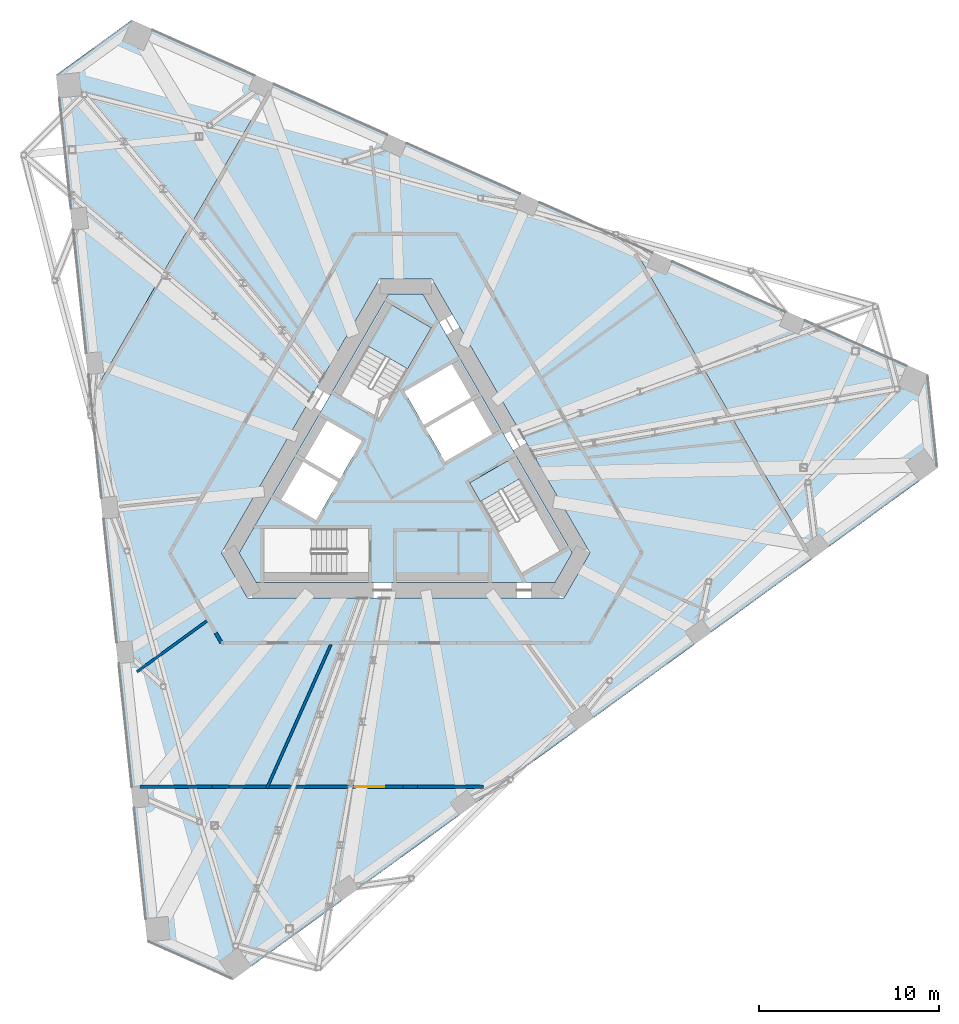
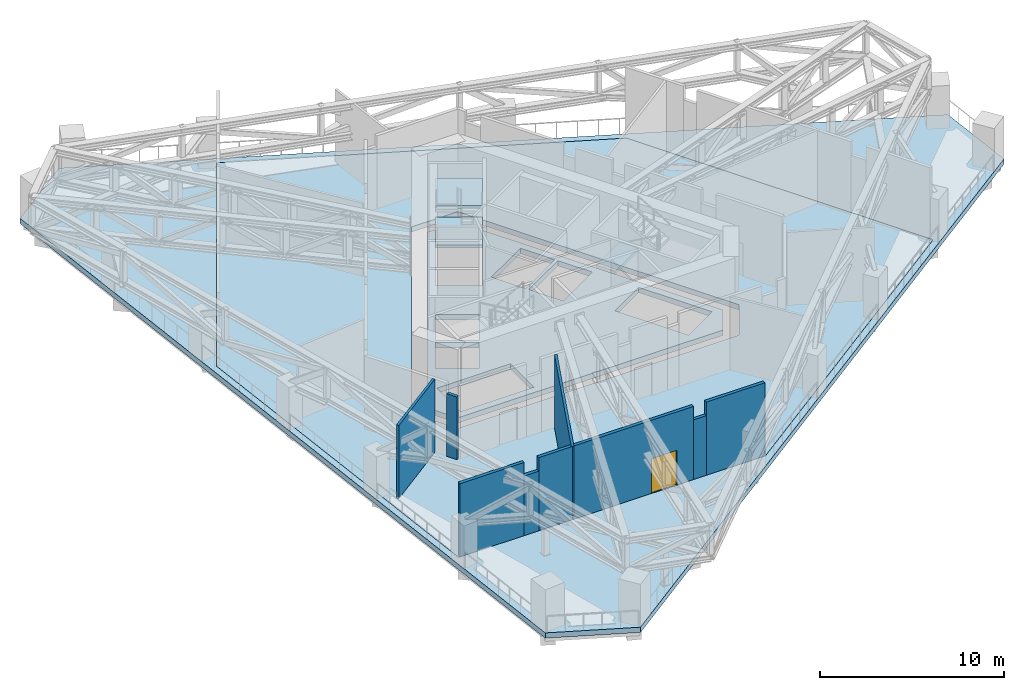
# One storey, part 16 of 26: 8 walls, 6 slabs, 1 door, 1 opening, 2 elements without a shape of their own.
"""IFC4 building model written with IfcOpenShell, lengths in metres."""

from ifc_helpers import new_model, si_unit, direction, frame, frame_2d, origin, place, context, subcontext, project, spatial, polyline, rectangle, outline, extrude, material, layer, layer_set, type_object, element, fill, aggregate, save


model = new_model("IFC4")

# Units and contexts
model_context = context("Model", 3, precision=1e-05, world=origin(), true_north=direction((0.0, 1.0)))
body_context = subcontext(model_context, "Body", "Model", "MODEL_VIEW")
ifc_project = project(units=[si_unit("LENGTHUNIT", "METRE"), si_unit("AREAUNIT", "SQUARE_METRE"), si_unit("VOLUMEUNIT", "CUBIC_METRE"), si_unit("PLANEANGLEUNIT", "RADIAN"), si_unit("MASSUNIT", "GRAM", prefix="KILO")], contexts=[model_context])

# Site, building, storey
site_placement = place(None, origin())
site = spatial("IfcSite", under=ifc_project, at=site_placement, CompositionType="ELEMENT")
building_placement = place(site_placement, origin())
building = spatial("IfcBuilding", under=site, at=building_placement, Name="Tramontana Tower", CompositionType="ELEMENT")
storey_placement = place(building_placement, frame((0.0, 0.0, 194.800048828125)))
storey = spatial("IfcBuildingStorey", under=building, at=storey_placement, Name="L45", CompositionType="ELEMENT", Elevation=194.800048828125)

# Slabs
ifc_material_1 = material(Name="Concrete 40 MPa", Category="concrete")
ifc_layer_1 = layer(ifc_material_1, 0.35009765625)
ifc_layer_set_1 = layer_set([ifc_layer_1], Name="PT FLAT SLAB 350 40 MPa")
slab_type_1 = type_object("IfcSlabType", Name="PT FLAT SLAB 350 40 MPa", PredefinedType="FLOOR", material=ifc_layer_set_1)
slab_1_placement = place(storey_placement, frame((0.0, 0.0, -0.35009765625)))
element("IfcSlab", 1, at=slab_1_placement, inside=storey, type_object=slab_type_1, Name="Floor slab L45", PredefinedType="FLOOR", context=body_context, shape_type="SweptSolid", body=[
    extrude(outline(polyline([(-14.77783203125, -17.35009765625), (-14.78759765625, -17.349609375), (-14.79736328125, -17.34814453125), (-14.806884765625, -17.345703125), (-14.816162109375, -17.34228515625), (-14.824951171875, -17.338134765625), (-14.83349609375, -17.3330078125), (-14.84130859375, -17.327392578125), (-14.848388671875, -17.32080078125), (-14.85498046875, -17.3134765625), (-14.861083984375, -17.3056640625), (-14.865966796875, -17.297119140625), (-14.8701171875, -17.288330078125), (-14.87353515625, -17.279052734375), (-14.8759765625, -17.26953125), (-14.87744140625, -17.259765625), (-17.203125, 4.869384765625), (-17.203369140625, 4.87939453125), (-17.202392578125, 4.88916015625), (-17.20068359375, 4.898681640625), (-17.197998046875, 4.908203125), (-17.194580078125, 4.917236328125), (-17.18994140625, 4.926025390625), (-15.937255859375, 7.095703125), (-10.109619140625, 17.189697265625), (-7.63671875, 21.472900390625), (-7.63134765625, 21.481201171875), (-7.625244140625, 21.489013671875), (-7.618408203125, 21.49609375), (-7.61083984375, 21.502197265625), (-7.602783203125, 21.5078125), (-7.59423828125, 21.5126953125), (-7.585205078125, 21.5166015625), (-7.575927734375, 21.51953125), (-7.56640625, 21.521484375), (-7.556640625, 21.522705078125), (-7.546630859375, 21.52294921875), (-7.537109375, 21.522216796875), (-7.52734375, 21.5205078125), (-7.517822265625, 21.517578125), (-7.5087890625, 21.51416015625), (12.818603515625, 12.463623046875), (12.827392578125, 12.458740234375), (12.83544921875, 12.453369140625), (12.843017578125, 12.447021484375), (12.849609375, 12.43994140625), (12.855712890625, 12.43212890625), (12.861083984375, 12.423828125), (14.11376953125, 10.25439453125), (18.846923828125, 2.056396484375), (22.41455078125, -4.123046875), (22.4189453125, -4.131591796875), (22.422607421875, -4.140869140625), (22.42529296875, -4.150390625), (22.427001953125, -4.159912109375), (22.427734375, -4.169677734375), (22.427490234375, -4.179443359375), (22.426513671875, -4.189208984375), (22.424560546875, -4.198974609375), (22.42138671875, -4.208251953125), (22.41748046875, -4.21728515625), (22.412841796875, -4.225830078125), (22.4072265625, -4.23388671875), (22.40087890625, -4.2412109375), (22.393798828125, -4.248291015625), (22.385986328125, -4.25439453125), (4.384521484375, -17.3330078125), (4.3759765625, -17.338134765625), (4.3671875, -17.34228515625), (4.35791015625, -17.345703125), (4.348388671875, -17.34814453125), (4.338623046875, -17.349609375), (4.328857421875, -17.35009765625), (-0.1484375, -17.35009765625), (-14.77783203125, -17.35009765625)]), holes=[polyline([(-8.8046875, -6.75), (8.8046875, -6.75), (10.248046875, -4.25), (1.443359375, 11.0), (-1.443359375, 11.0), (-10.248046875, -4.25), (-8.8046875, -6.75)])]), origin(), (0.0, 0.0, 1.0), 0.35009765625),
])
slab_2_placement = place(storey_placement, frame((0.0, 0.0, -0.35009765625)))
element("IfcSlab", 2, at=slab_2_placement, inside=storey, type_object=slab_type_1, Name="Terrace slab L45", PredefinedType="FLOOR", context=body_context, shape_type="SweptSolid", body=[
    extrude(outline(polyline([(-9.625244140625, -28.00634765625), (-14.372314453125, -25.892822265625), (-19.441650390625, 22.3388671875), (-15.23779296875, 25.39306640625), (29.06689453125, 5.66748046875), (29.610107421875, 0.499755859375), (-9.625244140625, -28.00634765625)]), holes=[polyline([(4.328857421875, -17.35009765625), (4.338623046875, -17.349609375), (4.348388671875, -17.34814453125), (4.35791015625, -17.345703125), (4.3671875, -17.34228515625), (4.3759765625, -17.338134765625), (4.384521484375, -17.3330078125), (22.385986328125, -4.25439453125), (22.393798828125, -4.248291015625), (22.40087890625, -4.2412109375), (22.4072265625, -4.23388671875), (22.412841796875, -4.225830078125), (22.41748046875, -4.21728515625), (22.42138671875, -4.208251953125), (22.424560546875, -4.198974609375), (22.426513671875, -4.189208984375), (22.427490234375, -4.179443359375), (22.427734375, -4.169677734375), (22.427001953125, -4.159912109375), (22.42529296875, -4.150390625), (22.422607421875, -4.140869140625), (22.4189453125, -4.131591796875), (22.41455078125, -4.123046875), (18.846923828125, 2.056396484375), (14.11376953125, 10.25439453125), (12.861083984375, 12.423828125), (12.855712890625, 12.43212890625), (12.849609375, 12.43994140625), (12.843017578125, 12.447021484375), (12.83544921875, 12.453369140625), (12.827392578125, 12.458740234375), (12.818603515625, 12.463623046875), (-7.5087890625, 21.51416015625), (-7.517822265625, 21.517578125), (-7.52734375, 21.5205078125), (-7.537109375, 21.522216796875), (-7.546630859375, 21.52294921875), (-7.556640625, 21.522705078125), (-7.56640625, 21.521484375), (-7.575927734375, 21.51953125), (-7.585205078125, 21.5166015625), (-7.59423828125, 21.5126953125), (-7.602783203125, 21.5078125), (-7.61083984375, 21.502197265625), (-7.618408203125, 21.49609375), (-7.625244140625, 21.489013671875), (-7.63134765625, 21.481201171875), (-7.63671875, 21.472900390625), (-10.109619140625, 17.189697265625), (-15.937255859375, 7.095703125), (-17.18994140625, 4.926025390625), (-17.194580078125, 4.917236328125), (-17.197998046875, 4.908203125), (-17.20068359375, 4.898681640625), (-17.202392578125, 4.88916015625), (-17.203369140625, 4.87939453125), (-17.203125, 4.869384765625), (-14.87744140625, -17.259765625), (-14.8759765625, -17.26953125), (-14.87353515625, -17.279052734375), (-14.8701171875, -17.288330078125), (-14.865966796875, -17.297119140625), (-14.861083984375, -17.3056640625), (-14.85498046875, -17.3134765625), (-14.848388671875, -17.32080078125), (-14.84130859375, -17.327392578125), (-14.83349609375, -17.3330078125), (-14.824951171875, -17.338134765625), (-14.816162109375, -17.34228515625), (-14.806884765625, -17.345703125), (-14.79736328125, -17.34814453125), (-14.78759765625, -17.349609375), (-14.77783203125, -17.35009765625), (-0.1484375, -17.35009765625), (4.328857421875, -17.35009765625)])]), origin(), (0.0, 0.0, 1.0), 0.35009765625),
])
slab_3_placement = place(storey_placement, frame((0.0, 0.0, -0.35009765625)))
element("IfcSlab", 3, at=slab_3_placement, inside=storey, type_object=slab_type_1, Name="Core floor slab L45", PredefinedType="FLOOR", context=body_context, shape_type="SweptSolid", body=[
    extrude(outline(polyline([(9.2666015625, -4.25), (8.313720703125, -5.89990234375), (-8.313720703125, -5.89990234375), (-9.2666015625, -4.25), (-0.95263671875, 10.14990234375), (0.95263671875, 10.14990234375), (9.2666015625, -4.25)]), holes=[polyline([(8.659912109375, -4.099365234375), (6.35986328125, -0.115478515625), (4.151611328125, -1.390625), (6.451416015625, -5.374267578125), (8.659912109375, -4.099365234375)]), polyline([(3.829833984375, 4.2666015625), (1.101806640625, 2.69140625), (2.177001953125, 0.82958984375), (4.90478515625, 2.404541015625), (3.829833984375, 4.2666015625)]), polyline([(2.65478515625, 6.3017578125), (-0.072998046875, 4.726806640625), (1.001953125, 2.86474609375), (3.729736328125, 4.439697265625), (2.65478515625, 6.3017578125)]), polyline([(-0.77978515625, 9.54931640625), (-3.079833984375, 5.565673828125), (-0.87158203125, 4.29052734375), (1.428466796875, 8.2744140625), (-0.77978515625, 9.54931640625)]), polyline([(-5.689697265625, 1.044921875), (-3.65478515625, -0.130126953125), (-2.4296875, 1.99169921875), (-4.46484375, 3.166748046875), (-5.689697265625, 1.044921875)]), polyline([(-3.280029296875, -5.449951171875), (-3.280029296875, -2.89990234375), (-7.8798828125, -2.89990234375), (-7.8798828125, -5.449951171875), (-3.280029296875, -5.449951171875)]), polyline([(-7.014892578125, -1.25), (-4.979736328125, -2.425048828125), (-3.754638671875, -0.30322265625), (-5.789794921875, 0.87158203125), (-7.014892578125, -1.25)])]), origin(), (0.0, 0.0, 1.0), 0.35009765625),
])

# Stair, slabs
ifc_material_2 = material(Name="Concrete 40 MPa", Category="concrete")
stair_type = type_object("IfcStairType", Name="EXIT STAIR 32 RISERS", PredefinedType="HALF_TURN_STAIR", material=ifc_material_2)
stair_1_placement = place(storey_placement, origin())
stair_1 = element("IfcStair", 4, at=stair_1_placement, inside=storey, type_object=stair_type, Name="L45 Exit stair ST1", PredefinedType="HALF_TURN_STAIR")
ifc_material_3 = material(Name="Concrete 40 MPa", Category="concrete")
ifc_layer_2 = layer(ifc_material_3, 0.199951171875)
ifc_layer_set_2 = layer_set([ifc_layer_2], Name="STAIR LANDING 200")
slab_type_2 = type_object("IfcSlabType", Name="STAIR LANDING 200", PredefinedType="LANDING", material=ifc_layer_set_2)
slab_4_placement = place(storey_placement, frame((0.0, 0.0, 1.099853515625)))
slab_4 = element("IfcSlab", 5, at=slab_4_placement, type_object=slab_type_2, Name="ST1 landing 1", PredefinedType="LANDING", context=body_context, shape_type="SweptSolid", body=[
    extrude(outline(polyline([(0.108642578125, 5.988037109375), (1.428466796875, 8.274169921875), (-0.77978515625, 9.54931640625), (-2.099853515625, 7.262939453125), (0.108642578125, 5.988037109375)])), origin(), (0.0, 0.0, 1.0), 0.2001953125),
])
slab_5_placement = place(storey_placement, frame((0.0, 0.0, 3.699951171875)))
slab_5 = element("IfcSlab", 6, at=slab_5_placement, type_object=slab_type_2, Name="ST1 landing 3", PredefinedType="LANDING", context=body_context, shape_type="SweptSolid", body=[
    extrude(outline(polyline([(0.108642578125, 5.988037109375), (1.428466796875, 8.274169921875), (-0.77978515625, 9.54931640625), (-2.099853515625, 7.262939453125), (0.108642578125, 5.988037109375)])), origin(), (0.0, 0.0, 1.0), 0.199951171875),
])
aggregate(stair_1, [slab_4, slab_5])

# Stair, slab
stair_2_placement = place(storey_placement, origin())
stair_2 = element("IfcStair", 7, at=stair_2_placement, inside=storey, type_object=stair_type, Name="L45 Exit stair ST3", PredefinedType="HALF_TURN_STAIR")
slab_6_placement = place(storey_placement, frame((0.0, 0.0, 2.39990234375)))
slab_6 = element("IfcSlab", 8, at=slab_6_placement, type_object=slab_type_2, Name="ST3 landing 2", PredefinedType="LANDING", context=body_context, shape_type="SweptSolid", body=[
    extrude(outline(polyline([(3.551513671875, -0.351318359375), (4.1513671875, -1.390625), (6.35986328125, -0.115478515625), (5.759765625, 0.923583984375), (3.551513671875, -0.351318359375)])), origin(), (0.0, 0.0, 1.0), 0.199951171875),
])
aggregate(stair_2, [slab_6])

# Walls
ifc_material_4 = material(Name="Blockwork", Category="masonry")
ifc_layer_3 = layer(ifc_material_4, 0.199951171875)
ifc_layer_set_3 = layer_set([ifc_layer_3], Name="ENCLOSURE WALL 200")
wall_type_1 = type_object("IfcWallType", Name="ENCLOSURE WALL 200", PredefinedType="SOLIDWALL", material=ifc_layer_set_3)
wall_1_placement = place(storey_placement, frame((4.328857421875, -17.25, 0.0), z_axis=(0.0, 0.0, 1.0), x_axis=(-1.0, 0.0, 0.0)))
element("IfcWall", 9, at=wall_1_placement, inside=storey, type_object=wall_type_1, Name="Wall enc1-0", PredefinedType="SOLIDWALL", context=body_context, shape_type="SweptSolid", body=[
    extrude(rectangle(XDim=3.67724609375, YDim=0.199951171875, at=frame_2d((1.838623046875, 0.0))), origin(), (0.0, 0.0, 1.0), 4.849853515625),
])
wall_2_placement = place(storey_placement, frame((0.651611328125, -17.25, 0.0), z_axis=(0.0, 0.0, 1.0), x_axis=(-1.0, 0.0, 0.0)))
element("IfcWall", 10, at=wall_2_placement, inside=storey, type_object=wall_type_1, Name="Wall enc1-1", PredefinedType="SOLIDWALL", context=body_context, shape_type="SweptSolid", body=[
    extrude(rectangle(XDim=0.800048828125, YDim=0.199951171875, at=frame_2d((0.39990234375, 0.0))), origin(), (0.0, 0.0, 1.0), 3.949951171875),
])

# Wall, opening, door
wall_3_placement = place(storey_placement, frame((-0.1484375, -17.25, 0.0), z_axis=(0.0, 0.0, 1.0), x_axis=(-1.0, 0.0, 0.0)))
wall_3 = element("IfcWall", 11, at=wall_3_placement, inside=storey, type_object=wall_type_1, Name="Wall enc1-2", PredefinedType="SOLIDWALL", context=body_context, shape_type="SweptSolid", body=[
    extrude(rectangle(XDim=9.683349609375, YDim=0.199951171875, at=frame_2d((4.841796875, 0.0))), origin(), (0.0, 0.0, 1.0), 4.849853515625),
])
opening_placement = place(wall_3_placement, frame((1.044677734375, 0.0, 0.0)))
opening = element("IfcOpeningElement", 12, at=opening_placement, cuts=wall_3, Name="Opening L45-11", PredefinedType="OPENING", context=body_context, shape_type="SweptSolid", body=[
    extrude(rectangle(XDim=1.60009765625, YDim=2.300048828125, at=frame_2d((0.800048828125, 1.14990234375))), frame((0.0, 0.10986328125, 0.0), z_axis=(0.0, -1.0, 0.0), x_axis=(1.0, 0.0, 0.0)), (0.0, 0.0, 1.0), 0.219970703125),
])
ifc_material_5 = material(Name="Painted timber", Category="wood")
door_type = type_object("IfcDoorType", Name="DOOR WIDE 1600", OperationType="SINGLE_SWING_LEFT", PredefinedType="DOOR", material=ifc_material_5)
door_placement = place(opening_placement, origin())
door = element("IfcDoor", 13, at=door_placement, inside=storey, type_object=door_type, Name="Door L45-11", OperationType="DOUBLE_DOOR_SINGLE_SWING", OverallHeight=2.300048828125, OverallWidth=1.60009765625, PredefinedType="DOOR", context=body_context, shape_type="SweptSolid", body=[
    extrude(rectangle(XDim=1.60009765625, YDim=2.300048828125, at=frame_2d((0.800048828125, 1.14990234375))), frame((0.0, 0.02490234375, 0.0), z_axis=(0.0, -1.0, 0.0), x_axis=(1.0, 0.0, 0.0)), (0.0, 0.0, 1.0), 0.050048828125),
])
fill(opening, door)

# Walls
wall_4_placement = place(storey_placement, frame((-9.831787109375, -17.25, 0.0), z_axis=(0.0, 0.0, 1.0), x_axis=(-1.0, 0.0, 0.0)))
element("IfcWall", 14, at=wall_4_placement, inside=storey, type_object=wall_type_1, Name="Wall enc1-3", PredefinedType="SOLIDWALL", context=body_context, shape_type="SweptSolid", body=[
    extrude(rectangle(XDim=0.931640625, YDim=0.199951171875, at=frame_2d((0.4658203125, 0.0))), origin(), (0.0, 0.0, 1.0), 3.949951171875),
])
wall_5_placement = place(storey_placement, frame((-10.763427734375, -17.25, 0.0), z_axis=(0.0, 0.0, 1.0), x_axis=(-1.0, 0.0, 0.0)))
element("IfcWall", 15, at=wall_5_placement, inside=storey, type_object=wall_type_1, Name="Wall enc1-4", PredefinedType="SOLIDWALL", context=body_context, shape_type="SweptSolid", body=[
    extrude(rectangle(XDim=4.014404296875, YDim=0.199951171875, at=frame_2d((2.00732421875, 0.0))), origin(), (0.0, 0.0, 1.0), 4.849853515625),
])
ifc_material_6 = material(Name="Blockwork", Category="masonry")
ifc_layer_4 = layer(ifc_material_6, 0.199951171875)
ifc_layer_set_4 = layer_set([ifc_layer_4], Name="ENTRY WALL 200")
wall_type_2 = type_object("IfcWallType", Name="ENTRY WALL 200", PredefinedType="SOLIDWALL", material=ifc_layer_set_4)
wall_6_placement = place(storey_placement, frame((-10.248046875, -9.25, 0.0), z_axis=(0.0, 0.0, 1.0), x_axis=(-0.499733411443, 0.86617926406, 0.0)))
element("IfcWall", 16, at=wall_6_placement, inside=storey, type_object=wall_type_2, Name="Wall ew3-0", PredefinedType="SOLIDWALL", context=body_context, shape_type="SweptSolid", body=[
    extrude(rectangle(XDim=0.642822265625, YDim=0.199951171875, at=frame_2d((0.3212890625, 0.0))), origin(), (0.0, 0.0, 1.0), 4.14990234375),
])
ifc_material_7 = material(Name="Gypsum board partition")
ifc_layer_5 = layer(ifc_material_7, 0.14990234375)
ifc_layer_set_5 = layer_set([ifc_layer_5], Name="PARTITION 150")
wall_type_3 = type_object("IfcWallType", Name="PARTITION 150", PredefinedType="PARTITIONING", material=ifc_layer_set_5)
wall_7_placement = place(storey_placement, frame((-11.063232421875, -8.037841796875, 0.0), z_axis=(0.0, 0.0, 1.0), x_axis=(-0.809019702923, -0.587781524278, 0.0)))
element("IfcWall", 17, at=wall_7_placement, inside=storey, type_object=wall_type_3, Name="Wall fw-pw01", PredefinedType="PARTITIONING", context=body_context, shape_type="SweptSolid", body=[
    extrude(rectangle(XDim=4.80029296875, YDim=0.14990234375, at=frame_2d((2.400146484375, 0.0))), origin(), (0.0, 0.0, 1.0), 4.849853515625),
])
wall_8_placement = place(storey_placement, frame((-4.162841796875, -9.35009765625, 0.0), z_axis=(0.0, 0.0, 1.0), x_axis=(-0.406730743463, -0.913548084297, 0.0)))
element("IfcWall", 18, at=wall_8_placement, inside=storey, type_object=wall_type_3, Name="Wall fw-pw03", PredefinedType="PARTITIONING", context=body_context, shape_type="SweptSolid", body=[
    extrude(rectangle(XDim=8.757080078125, YDim=0.14990234375, at=frame_2d((4.37841796875, 0.0))), origin(), (0.0, 0.0, 1.0), 4.849853515625),
])

save(model, "model.ifc")
